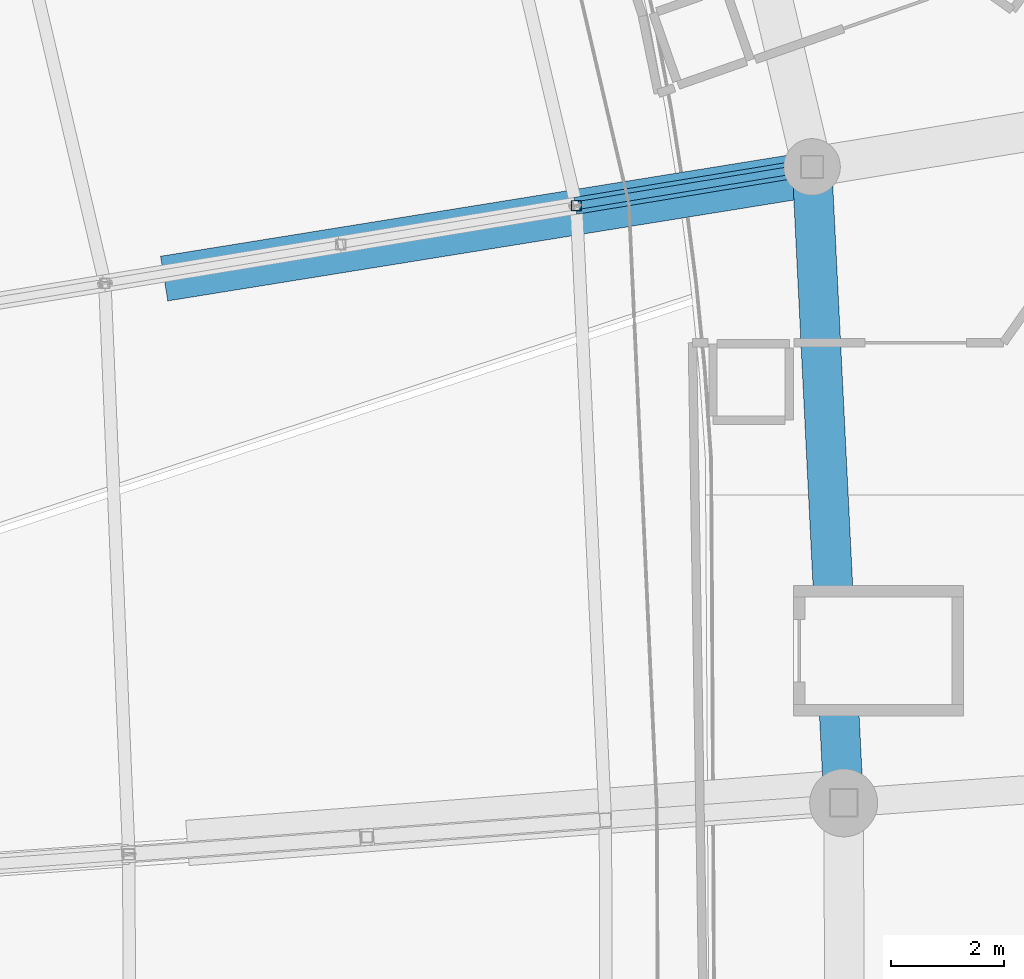
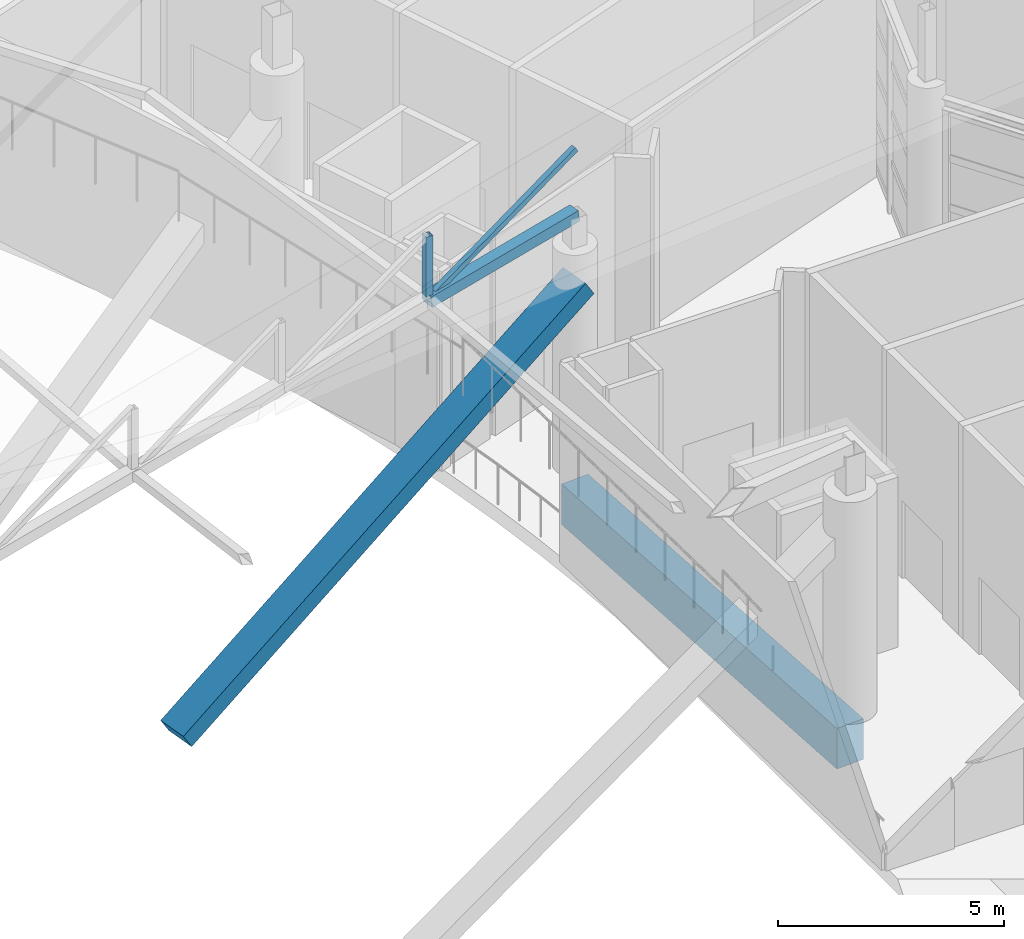
# One storey, part 183 of 344: 3 members, 2 beams.
"""IFC4 building model written with IfcOpenShell, lengths in metres."""

from ifc_helpers import new_model, si_unit, direction, frame, origin, origin_2d, place, context, subcontext, project, spatial, rectangle, hollow_rectangle, extrude, material, material_profile, profile_set, type_object, element, save


model = new_model("IFC4")

# Units and contexts
model_context = context("Model", 3, precision=1e-05, world=origin(), true_north=direction((0.0, 1.0)))
body_context = subcontext(model_context, "Body", "Model", "MODEL_VIEW")
ifc_project = project(units=[si_unit("LENGTHUNIT", "METRE"), si_unit("AREAUNIT", "SQUARE_METRE"), si_unit("VOLUMEUNIT", "CUBIC_METRE"), si_unit("PLANEANGLEUNIT", "RADIAN"), si_unit("MASSUNIT", "GRAM", prefix="KILO")], contexts=[model_context])

# Site, building, storey
site_placement = place(None, origin())
site = spatial("IfcSite", under=ifc_project, at=site_placement, CompositionType="ELEMENT")
building_placement = place(site_placement, origin())
building = spatial("IfcBuilding", under=site, at=building_placement, Name="Meseta Stadium", CompositionType="ELEMENT")
storey_placement = place(building_placement, frame((0.0, 0.0, 24.0)))
storey = spatial("IfcBuildingStorey", under=building, at=storey_placement, Name="L04", CompositionType="ELEMENT", Elevation=24.0)

# Beams
ifc_material_1 = material(Name="Concrete C40/50", Category="concrete")
ifc_material_profile_1 = material_profile(ifc_material_1, rectangle(XDim=0.699951171875, YDim=1.10009765625, at=origin_2d()), Name="RC 700x1100")
ifc_profile_set_1 = profile_set([ifc_material_profile_1], Name="Concrete C40/50")
beam_type_1 = type_object("IfcBeamType", Name="RC beam 700x1100", PredefinedType="BEAM", material=ifc_profile_set_1)
beam_1_placement = place(storey_placement, frame((84.884033203125, 42.5615234375, -0.949951171875), z_axis=(-0.049657379323, 0.998766311346, 0.0), x_axis=(-0.998766311346, -0.049657379323, 0.0)))
element("IfcBeam", 1, at=beam_1_placement, inside=storey, type_object=beam_type_1, Name="L04 ring beam frame 8 line P", PredefinedType="BEAM", context=body_context, shape_type="SweptSolid", body=[
    extrude(rectangle(XDim=0.699951171875, YDim=1.10009765625, at=origin_2d()), origin(), (0.0, 0.0, 1.0), 11.25390625),
])
ifc_material_2 = material(Name="Concrete C40/50", Category="concrete")
ifc_material_profile_2 = material_profile(ifc_material_2, rectangle(XDim=0.800048828125, YDim=0.449951171875, at=origin_2d()), Name="RC 800x450")
ifc_profile_set_2 = profile_set([ifc_material_profile_2], Name="Concrete C40/50")
beam_type_2 = type_object("IfcBeamType", Name="RC raker upper rear 800x450", PredefinedType="USERDEFINED", material=ifc_profile_set_2)
beam_2_placement = place(storey_placement, frame((72.9921875, 51.84716796875, -2.13525390625), z_axis=(0.837410546154, 0.134871626507, 0.529672749492), x_axis=(-0.159008836168, 0.987277159677, 0.0)))
element("IfcBeam", 2, at=beam_2_placement, inside=storey, type_object=beam_type_2, Name="Raker upper rear frame 9 upper tier", ObjectType="RAKER", PredefinedType="USERDEFINED", context=body_context, shape_type="SweptSolid", body=[
    extrude(rectangle(XDim=0.800048828125, YDim=0.449951171875, at=origin_2d()), origin(), (0.0, 0.0, 1.0), 13.55810546875),
])

# Members
ifc_material_3 = material(Name="Steel S355", Category="steel")
ifc_material_profile_3 = material_profile(ifc_material_3, hollow_rectangle(XDim=0.139892578125, YDim=0.139892578125, WallThickness=0.0048828125, at=origin_2d()), Name="SHS 140x140x5")
ifc_profile_set_3 = profile_set([ifc_material_profile_3], Name="Steel S355")
member_type_1 = type_object("IfcMemberType", Name="SHS 140x140x5 diagonal", PredefinedType="BRACE", material=ifc_profile_set_3)
member_1_placement = place(storey_placement, frame((80.158935546875, 53.1162109375, 6.337158203125), z_axis=(0.873398123495, 0.143664139036, 0.465334646283), x_axis=(-0.162307632911, 0.986740205069, 0.0)))
element("IfcMember", 3, at=member_1_placement, inside=storey, type_object=member_type_1, Name="ROOF TRUSS RT-09 diagonal", PredefinedType="BRACE", context=body_context, shape_type="SweptSolid", body=[
    extrude(hollow_rectangle(XDim=0.139892578125, YDim=0.139892578125, WallThickness=0.0048828125, at=origin_2d()), origin(), (0.0, 0.0, 1.0), 4.770263671875),
])
ifc_material_4 = material(Name="Steel S355", Category="steel")
ifc_material_profile_4 = material_profile(ifc_material_4, hollow_rectangle(XDim=0.179931640625, YDim=0.179931640625, WallThickness=0.00634765625, at=origin_2d()), Name="SHS 180x180x6.3")
ifc_profile_set_4 = profile_set([ifc_material_profile_4], Name="Steel S355")
member_type_2 = type_object("IfcMemberType", Name="SHS 180x180x6.3 post", PredefinedType="POST", material=ifc_profile_set_4)
member_2_placement = place(storey_placement, frame((80.158935546875, 53.1162109375, 6.337158203125), z_axis=(0.0, 0.0, 1.0), x_axis=(1.0, 0.0, 0.0)))
element("IfcMember", 4, at=member_2_placement, inside=storey, type_object=member_type_2, Name="ROOF TRUSS RT-09 post", PredefinedType="POST", context=body_context, shape_type="SweptSolid", body=[
    extrude(hollow_rectangle(XDim=0.179931640625, YDim=0.179931640625, WallThickness=0.00634765625, at=origin_2d()), origin(), (0.0, 0.0, 1.0), 1.7568359375),
])
ifc_material_5 = material(Name="Steel S355", Category="steel")
ifc_material_profile_5 = material_profile(ifc_material_5, hollow_rectangle(XDim=0.300048828125, YDim=0.300048828125, WallThickness=0.010009765625, at=origin_2d()), Name="SHS 300x300x10")
ifc_profile_set_5 = profile_set([ifc_material_profile_5], Name="Steel S355")
member_type_3 = type_object("IfcMemberType", Name="SHS 300x300x10 bottom chord", PredefinedType="CHORD", material=ifc_profile_set_5)
member_3_placement = place(storey_placement, frame((80.158935546875, 53.1162109375, 6.337158203125), z_axis=(0.980863294148, 0.161340947358, 0.108978424008), x_axis=(-0.162307632911, 0.986740205069, 0.0)))
element("IfcMember", 5, at=member_3_placement, inside=storey, type_object=member_type_3, Name="ROOF TRUSS RT-09 bottom chord", PredefinedType="CHORD", context=body_context, shape_type="SweptSolid", body=[
    extrude(hollow_rectangle(XDim=0.300048828125, YDim=0.300048828125, WallThickness=0.010009765625, at=origin_2d()), origin(), (0.0, 0.0, 1.0), 4.24755859375),
])

save(model, "model.ifc")
